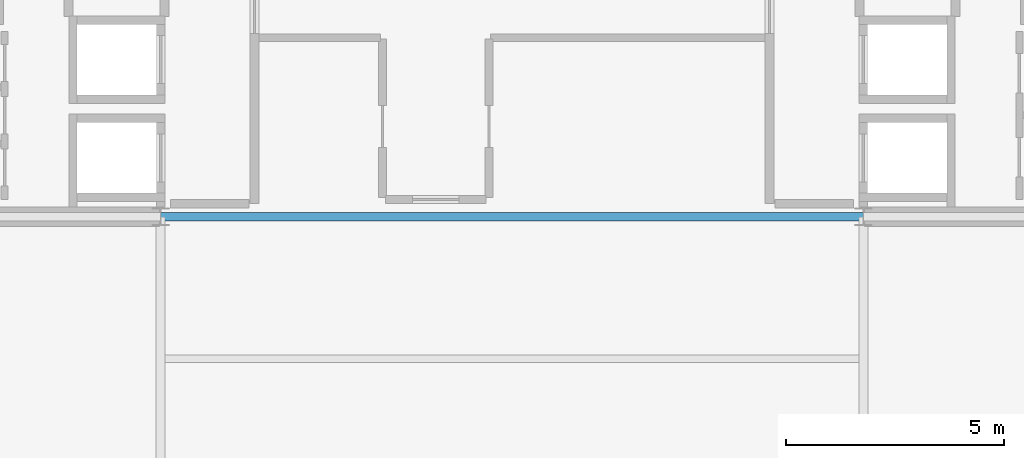
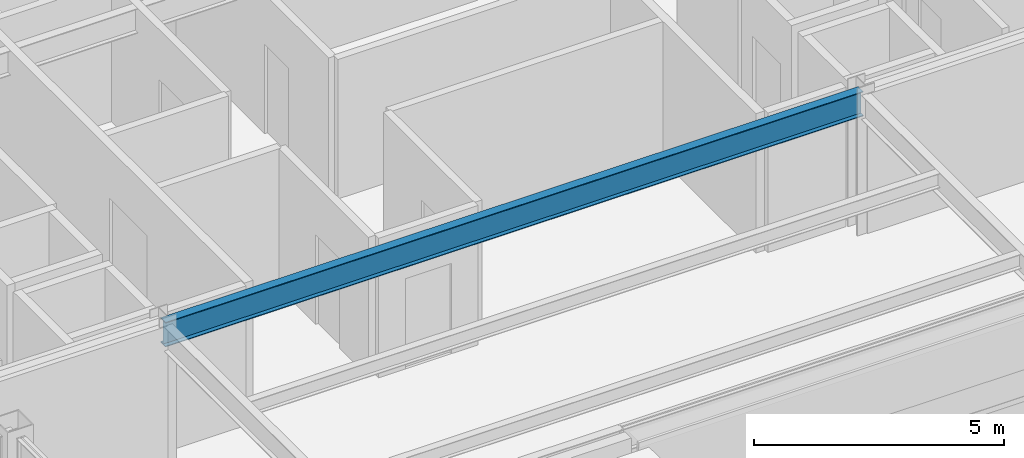
# One storey, part 9 of 28: 1 beam.
"""IFC4 building model written with IfcOpenShell, lengths in metres."""

from ifc_helpers import new_model, si_unit, direction, frame, origin, origin_2d, place, context, subcontext, project, spatial, i_section, extrude, material, material_profile, profile_set, type_object, element, save


model = new_model("IFC4")

# Units and contexts
model_context = context("Model", 3, precision=1e-05, world=origin(), true_north=direction((0.0, 1.0)))
body_context = subcontext(model_context, "Body", "Model", "MODEL_VIEW")
ifc_project = project(units=[si_unit("LENGTHUNIT", "METRE"), si_unit("AREAUNIT", "SQUARE_METRE"), si_unit("VOLUMEUNIT", "CUBIC_METRE"), si_unit("PLANEANGLEUNIT", "RADIAN"), si_unit("MASSUNIT", "GRAM", prefix="KILO")], contexts=[model_context])

# Site, building, storey
site_placement = place(None, origin())
site = spatial("IfcSite", under=ifc_project, at=site_placement, CompositionType="ELEMENT")
building_placement = place(site_placement, origin())
building = spatial("IfcBuilding", under=site, at=building_placement, Name="Brelmoor Portico Tower", CompositionType="ELEMENT")
storey_placement = place(building_placement, frame((0.0, 0.0, 265.199951171875)))
storey = spatial("IfcBuildingStorey", under=building, at=storey_placement, Name="L70", CompositionType="ELEMENT", Elevation=265.199951171875)

# Beam
ifc_material = material(Name="Steel Q355B", Category="steel")
ifc_material_profile = material_profile(ifc_material, i_section(OverallWidth=0.199951171875, OverallDepth=0.60009765625, WebThickness=0.010986328125, FlangeThickness=0.01708984375, at=origin_2d()), Name="HN 600x200x11x17")
ifc_profile_set = profile_set([ifc_material_profile], Name="Steel Q355B")
beam_type = type_object("IfcBeamType", Name="BM-PG-600", PredefinedType="BEAM", material=ifc_profile_set)
beam_placement = place(storey_placement, frame((-8.050048828125, -9.75, 3.10009765625), z_axis=(1.0, 0.0, 0.0), x_axis=(0.0, 1.0, 0.0)))
element("IfcBeam", 1, at=beam_placement, inside=storey, type_object=beam_type, Name="L70 Primary Floor Girder PG-13", PredefinedType="BEAM", context=body_context, shape_type="SweptSolid", body=[
    extrude(i_section(OverallWidth=0.199951171875, OverallDepth=0.60009765625, WebThickness=0.010986328125, FlangeThickness=0.01708984375, at=origin_2d()), origin(), (0.0, 0.0, 1.0), 16.10009765625),
])

save(model, "model.ifc")
